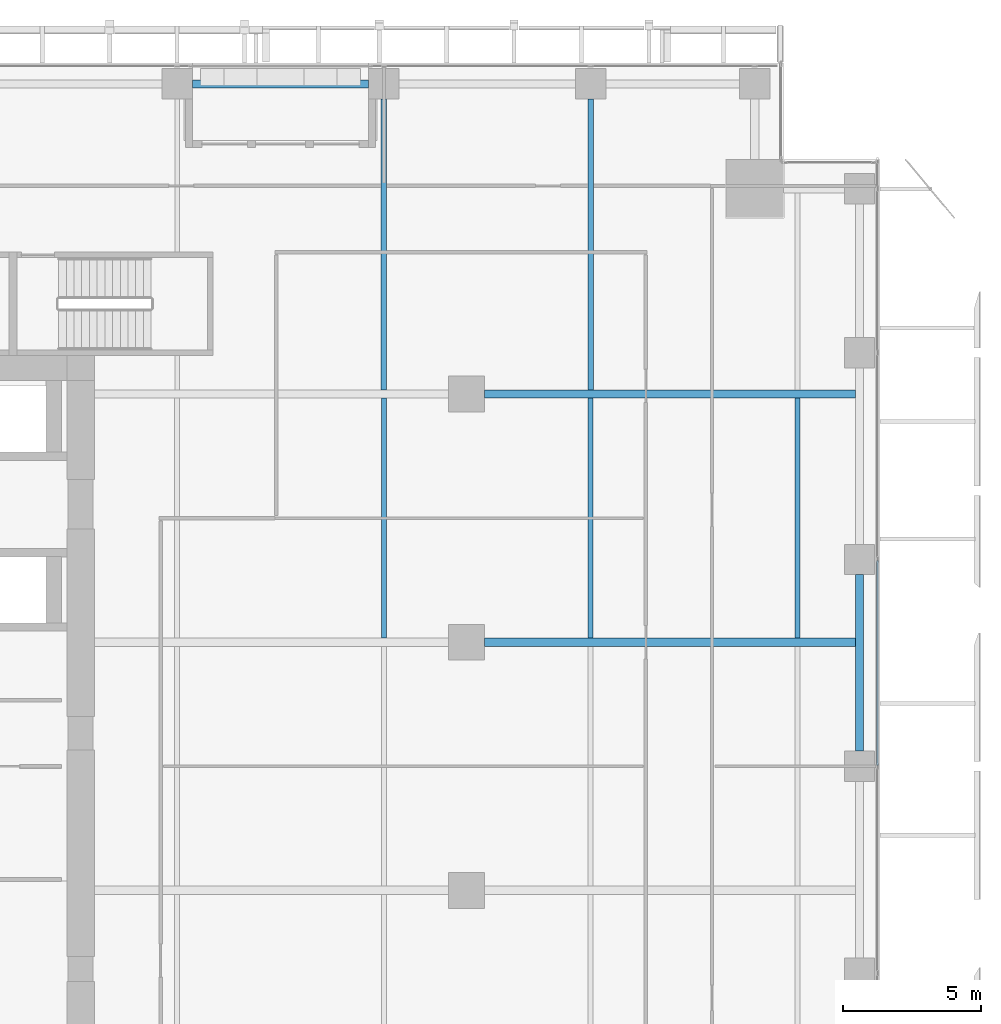
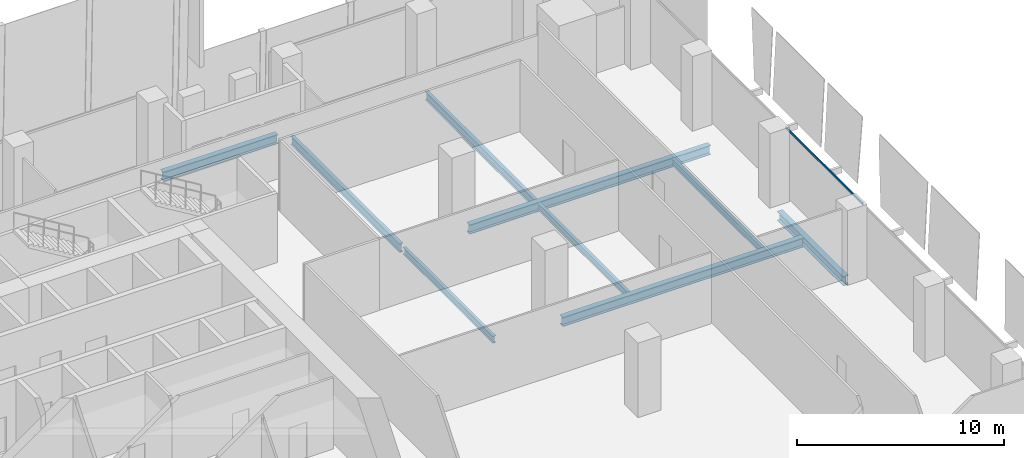
# One storey, part 18 of 34: 9 beams, 1 member, 1 element without a shape of its own.
"""IFC4 building model written with IfcOpenShell, lengths in metres."""

from ifc_helpers import new_model, si_unit, direction, frame, origin, origin_2d, place, context, subcontext, project, spatial, hollow_rectangle, i_section, extrude, source, transform, mapped, material, material_profile, profile_set, type_object, element, aggregate, save


model = new_model("IFC4")

# Units and contexts
model_context = context("Model", 3, precision=1e-05, world=origin(), true_north=direction((0.0, 1.0)))
body_context = subcontext(model_context, "Body", "Model", "MODEL_VIEW")
ifc_project = project(units=[si_unit("LENGTHUNIT", "METRE"), si_unit("AREAUNIT", "SQUARE_METRE"), si_unit("VOLUMEUNIT", "CUBIC_METRE"), si_unit("PLANEANGLEUNIT", "RADIAN"), si_unit("MASSUNIT", "GRAM", prefix="KILO")], contexts=[model_context])

# Site, building, storey
site_placement = place(None, origin())
site = spatial("IfcSite", under=ifc_project, at=site_placement, CompositionType="ELEMENT")
building_placement = place(site_placement, origin())
building = spatial("IfcBuilding", under=site, at=building_placement, Name="Khomas Fold Tower", CompositionType="ELEMENT")
storey_placement = place(building_placement, frame((0.0, 0.0, 154.300048828125)))
storey = spatial("IfcBuildingStorey", under=building, at=storey_placement, Name="L33", CompositionType="ELEMENT", Elevation=154.300048828125)

# Beams
ifc_material_1 = material(Name="Steel S355", Category="steel")
ifc_material_profile_1 = material_profile(ifc_material_1, i_section(OverallWidth=0.179931640625, OverallDepth=0.39990234375, WebThickness=0.008544921875, FlangeThickness=0.013427734375, at=origin_2d()), Name="IPE 400")
ifc_profile_set_1 = profile_set([ifc_material_profile_1], Name="Steel S355")
beam_type_1 = type_object("IfcBeamType", Name="IPE 400 beam JB3", PredefinedType="BEAM", material=ifc_profile_set_1)
shared_shape_1 = source(origin(), body_context, "Body", "SweptSolid", [
    extrude(i_section(OverallWidth=0.179931640625, OverallDepth=0.39990234375, WebThickness=0.008544921875, FlangeThickness=0.013427734375, at=origin_2d()), origin(), (0.0, 0.0, 1.0), 8.7001953125),
])
for number, where, z_axis, x_axis, name in (
    (1, (34.5, 31.64990234375, -0.5), (0.0, 1.0, 0.0), (-1.0, 0.0, 0.0), "JB3"),
    (2, (42.0, 31.64990234375, -0.5), (0.0, 1.0, 0.0), (-1.0, 0.0, 0.0), "JB3"),
    (3, (49.5, 31.64990234375, -0.5), (0.0, 1.0, 0.0), (-1.0, 0.0, 0.0), "JB3"),
):
    element("IfcBeam", number, at=place(storey_placement, frame(where, z_axis=z_axis, x_axis=x_axis)), inside=storey, type_object=beam_type_1, Name=name, PredefinedType="BEAM", context=body_context, shape_type="MappedRepresentation", body=[
        mapped(shared_shape_1, transform((0.0, 0.0, 0.0))),
    ])
ifc_material_2 = material(Name="Steel S355", Category="steel")
ifc_material_profile_2 = material_profile(ifc_material_2, i_section(OverallWidth=0.300048828125, OverallDepth=0.550048828125, WebThickness=0.014892578125, FlangeThickness=0.029052734375, at=origin_2d()), Name="HE 550 B")
ifc_profile_set_2 = profile_set([ifc_material_profile_2], Name="Steel S355")
beam_type_2 = type_object("IfcBeamType", Name="HE 550 B spandrel SB2", PredefinedType="SPANDREL", material=ifc_profile_set_2)
shared_shape_2 = source(origin(), body_context, "Body", "SweptSolid", [
    extrude(i_section(OverallWidth=0.300048828125, OverallDepth=0.550048828125, WebThickness=0.014892578125, FlangeThickness=0.029052734375, at=origin_2d()), origin(), (0.0, 0.0, 1.0), 6.39990234375),
])
for number, where, z_axis, x_axis, name in (
    (4, (51.75, 27.550048828125, -0.574951171875), (0.0, 1.0, 0.0), (-1.0, 0.0, 0.0), "SB2"),
    (5, (27.550048828125, 51.75, -0.574951171875), (1.0, 0.0, 0.0), (0.0, 1.0, 0.0), "SB2"),
):
    element("IfcBeam", number, at=place(storey_placement, frame(where, z_axis=z_axis, x_axis=x_axis)), inside=storey, type_object=beam_type_2, Name=name, PredefinedType="SPANDREL", context=body_context, shape_type="MappedRepresentation", body=[
        mapped(shared_shape_2, transform((0.0, 0.0, 0.0))),
    ])
ifc_material_3 = material(Name="Steel S355", Category="steel")
ifc_material_profile_3 = material_profile(ifc_material_3, i_section(OverallWidth=0.300048828125, OverallDepth=0.550048828125, WebThickness=0.014892578125, FlangeThickness=0.029052734375, at=origin_2d()), Name="HE 550 B")
ifc_profile_set_3 = profile_set([ifc_material_profile_3], Name="Steel S355")
beam_type_3 = type_object("IfcBeamType", Name="HE 550 B beam GB4", PredefinedType="BEAM", material=ifc_profile_set_3)
shared_shape_3 = source(origin(), body_context, "Body", "SweptSolid", [
    extrude(i_section(OverallWidth=0.300048828125, OverallDepth=0.550048828125, WebThickness=0.014892578125, FlangeThickness=0.029052734375, at=origin_2d()), origin(), (0.0, 0.0, 1.0), 13.4501953125),
])
for number, where, z_axis, x_axis, name in (
    (6, (38.14990234375, 31.5, -0.574951171875), (1.0, 0.0, 0.0), (0.0, 1.0, 0.0), "GB4"),
    (7, (38.14990234375, 40.5, -0.574951171875), (1.0, 0.0, 0.0), (0.0, 1.0, 0.0), "GB4"),
):
    element("IfcBeam", number, at=place(storey_placement, frame(where, z_axis=z_axis, x_axis=x_axis)), inside=storey, type_object=beam_type_3, Name=name, PredefinedType="BEAM", context=body_context, shape_type="MappedRepresentation", body=[
        mapped(shared_shape_3, transform((0.0, 0.0, 0.0))),
    ])
ifc_material_4 = material(Name="Steel S355", Category="steel")
ifc_material_profile_4 = material_profile(ifc_material_4, i_section(OverallWidth=0.199951171875, OverallDepth=0.5, WebThickness=0.01025390625, FlangeThickness=0.01611328125, at=origin_2d()), Name="IPE 500")
ifc_profile_set_4 = profile_set([ifc_material_profile_4], Name="Steel S355")
beam_type_4 = type_object("IfcBeamType", Name="IPE 500 beam JB5", PredefinedType="BEAM", material=ifc_profile_set_4)
shared_shape_4 = source(origin(), body_context, "Body", "SweptSolid", [
    extrude(i_section(OverallWidth=0.199951171875, OverallDepth=0.5, WebThickness=0.01025390625, FlangeThickness=0.01611328125, at=origin_2d()), origin(), (0.0, 0.0, 1.0), 10.550048828125),
])
for number, where, z_axis, x_axis, name in (
    (8, (34.5, 40.64990234375, -0.550048828125), (0.0, 1.0, 0.0), (-1.0, 0.0, 0.0), "JB5"),
    (9, (42.0, 40.64990234375, -0.550048828125), (0.0, 1.0, 0.0), (-1.0, 0.0, 0.0), "JB5"),
):
    element("IfcBeam", number, at=place(storey_placement, frame(where, z_axis=z_axis, x_axis=x_axis)), inside=storey, type_object=beam_type_4, Name=name, PredefinedType="BEAM", context=body_context, shape_type="MappedRepresentation", body=[
        mapped(shared_shape_4, transform((0.0, 0.0, 0.0))),
    ])

# Curtain wall, member
ifc_material_5 = material(Name="Aluminium framed double glazing", Category="aluminium")
curtain_wall_type = type_object("IfcCurtainWallType", Name="SK-Unitised clear-glass wall, growing floors CW1", PredefinedType="NOTDEFINED", material=ifc_material_5)
curtain_wall_placement = place(storey_placement, origin())
curtain_wall = element("IfcCurtainWall", 10, at=curtain_wall_placement, inside=storey, type_object=curtain_wall_type, Name="CW1 run L33 03-0", PredefinedType="NOTDEFINED")
ifc_material_6 = material(Name="Aluminium", Category="aluminium")
ifc_material_profile_5 = material_profile(ifc_material_6, hollow_rectangle(XDim=0.06005859375, YDim=0.1201171875, WallThickness=0.00390625, at=origin_2d()), Name="SK-Unitised clear-glass wall, growing floors transom CW1-T")
ifc_profile_set_5 = profile_set([ifc_material_profile_5], Name="Aluminium")
member_type = type_object("IfcMemberType", Name="SK-Unitised clear-glass wall, growing floors transom CW1-T", PredefinedType="USERDEFINED", material=ifc_profile_set_5)
shared_shape_5 = source(origin(), body_context, "Body", "SweptSolid", [
    extrude(hollow_rectangle(XDim=0.06005859375, YDim=0.1201171875, WallThickness=0.00390625, at=origin_2d()), origin(), (0.0, 0.0, 1.0), 7.43994140625),
])
member_placement = place(storey_placement, frame((52.39990234375, 27.030029296875, 4.0400390625), z_axis=(0.0, 1.0, 0.0), x_axis=(-1.0, 0.0, 0.0)))
member = element("IfcMember", 11, at=member_placement, type_object=member_type, Name="CW1 transom 5", ObjectType="TRANSOM", PredefinedType="USERDEFINED", context=body_context, shape_type="MappedRepresentation", body=[
    mapped(shared_shape_5, transform((0.0, 0.0, 0.0))),
])
aggregate(curtain_wall, [member])

save(model, "model.ifc")
